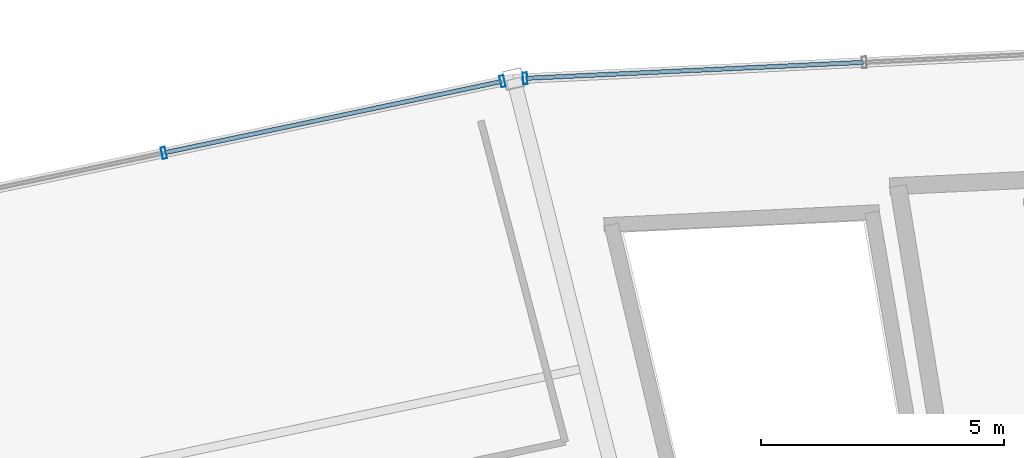
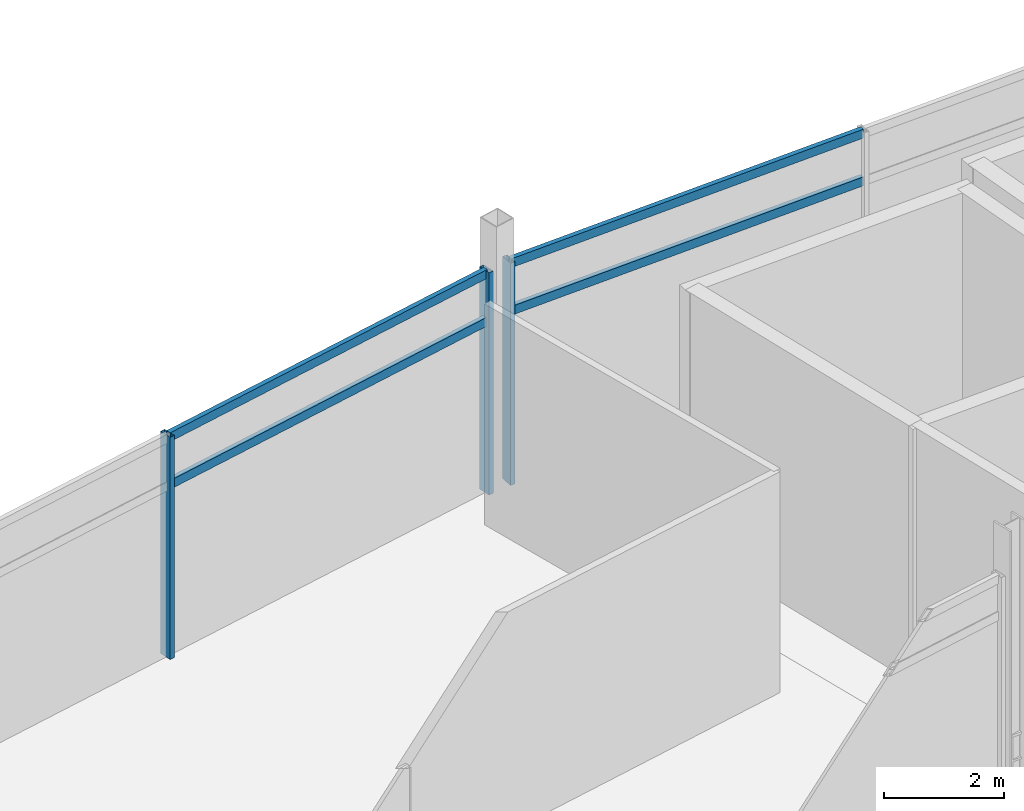
# One storey, part 59 of 86: 7 members, 2 elements without a shape of their own.
"""IFC4 building model written with IfcOpenShell, lengths in metres."""

from ifc_helpers import new_model, si_unit, direction, frame, origin, origin_2d, place, context, subcontext, project, spatial, hollow_rectangle, extrude, material, layer, layer_set, material_profile, profile_set, type_object, element, aggregate, save


model = new_model("IFC4")

# Units and contexts
model_context = context("Model", 3, precision=1e-05, world=origin(), true_north=direction((0.0, 1.0)))
body_context = subcontext(model_context, "Body", "Model", "MODEL_VIEW")
ifc_project = project(units=[si_unit("LENGTHUNIT", "METRE"), si_unit("AREAUNIT", "SQUARE_METRE"), si_unit("VOLUMEUNIT", "CUBIC_METRE"), si_unit("PLANEANGLEUNIT", "RADIAN"), si_unit("MASSUNIT", "GRAM", prefix="KILO")], contexts=[model_context])

# Site, building, storey
site_placement = place(None, origin())
site = spatial("IfcSite", under=ifc_project, at=site_placement, CompositionType="ELEMENT")
building_placement = place(site_placement, origin())
building = spatial("IfcBuilding", under=site, at=building_placement, Name="Kazemori Nagisa Stadium", CompositionType="ELEMENT")
storey_placement = place(building_placement, frame((0.0, 0.0, 31.280029296875)))
storey = spatial("IfcBuildingStorey", under=building, at=storey_placement, Name="L06", CompositionType="ELEMENT", Elevation=31.280029296875)

# Curtain wall, member
ifc_material_1 = material(Name="Anodised aluminium 6063-T5", Category="aluminium")
ifc_layer_1 = layer(ifc_material_1, 0.239990234375, Name="Anodised aluminium 6063-T5", Category="aluminium")
ifc_layer_set_1 = layer_set([ifc_layer_1], Name="Anodised aluminium 6063-T5")
curtain_wall_type_1 = type_object("IfcCurtainWallType", Name="CW_L06R3_105", PredefinedType="USERDEFINED", material=ifc_layer_set_1)
curtain_wall_1_placement = place(storey_placement, origin())
curtain_wall_1 = element("IfcCurtainWall", 1, at=curtain_wall_1_placement, inside=storey, type_object=curtain_wall_type_1, Name="Unitised curtain wall CW-L06R3-105 L06", ObjectType="UNITISED CURTAIN WALL", PredefinedType="USERDEFINED")
ifc_material_2 = material(Name="Aluminium 6063-T5 anodised", Category="aluminium")
ifc_material_profile_1 = material_profile(ifc_material_2, hollow_rectangle(XDim=0.090087890625, YDim=0.239990234375, WallThickness=0.0048828125, at=origin_2d()), Name="ALU-MULL-90x240x5")
ifc_profile_set_1 = profile_set([ifc_material_profile_1], Name="Aluminium 6063-T5 anodised")
member_type_1 = type_object("IfcMemberType", Name="Mullion_M03", PredefinedType="MULLION", material=ifc_profile_set_1)
member_1_placement = place(storey_placement, frame((101.80712890625, 186.998046875, 0.0), z_axis=(0.0, 0.0, 1.0), x_axis=(-0.998884022476, -0.047230388971, 0.0)))
member_1 = element("IfcMember", 2, at=member_1_placement, type_object=member_type_1, Name="Curtain wall mullion CW-L06R3-105-M4", PredefinedType="MULLION", context=body_context, shape_type="SweptSolid", body=[
    extrude(hollow_rectangle(XDim=0.090087890625, YDim=0.239990234375, WallThickness=0.0048828125, at=origin_2d()), origin(), (0.0, 0.0, 1.0), 4.510009765625),
])

# Curtain wall, members
ifc_layer_2 = layer(ifc_material_1, 0.239990234375, Name="Anodised aluminium 6063-T5", Category="aluminium")
ifc_layer_set_2 = layer_set([ifc_layer_2], Name="Anodised aluminium 6063-T5")
curtain_wall_type_2 = type_object("IfcCurtainWallType", Name="CW_L06R3_107", PredefinedType="USERDEFINED", material=ifc_layer_set_2)
curtain_wall_2_placement = place(storey_placement, origin())
curtain_wall_2 = element("IfcCurtainWall", 3, at=curtain_wall_2_placement, inside=storey, type_object=curtain_wall_type_2, Name="Unitised curtain wall CW-L06R3-107 L06", ObjectType="UNITISED CURTAIN WALL", PredefinedType="USERDEFINED")
member_2_placement = place(storey_placement, frame((101.342529296875, 186.938232421875, 0.0), z_axis=(0.0, 0.0, 1.0), x_axis=(-0.978344955407, -0.206981033502, 0.0)))
member_2 = element("IfcMember", 4, at=member_2_placement, type_object=member_type_1, Name="Curtain wall mullion CW-L06R3-107-M1", PredefinedType="MULLION", context=body_context, shape_type="SweptSolid", body=[
    extrude(hollow_rectangle(XDim=0.090087890625, YDim=0.239990234375, WallThickness=0.0048828125, at=origin_2d()), origin(), (0.0, 0.0, 1.0), 4.510009765625),
])
member_3_placement = place(storey_placement, frame((94.3701171875, 185.463134765625, 0.0), z_axis=(0.0, 0.0, 1.0), x_axis=(-0.978344955407, -0.206981033502, 0.0)))
member_3 = element("IfcMember", 5, at=member_3_placement, type_object=member_type_1, Name="Curtain wall mullion CW-L06R3-107-M2", PredefinedType="MULLION", context=body_context, shape_type="SweptSolid", body=[
    extrude(hollow_rectangle(XDim=0.090087890625, YDim=0.239990234375, WallThickness=0.0048828125, at=origin_2d()), origin(), (0.0, 0.0, 1.0), 4.510009765625),
])

# Member
ifc_material_profile_2 = material_profile(ifc_material_2, hollow_rectangle(XDim=0.090087890625, YDim=0.179931640625, WallThickness=0.0048828125, at=origin_2d()), Name="ALU-TRAN-90x180x5")
ifc_profile_set_2 = profile_set([ifc_material_profile_2], Name="Aluminium 6063-T5 anodised")
member_type_2 = type_object("IfcMemberType", Name="Transom_T03", PredefinedType="USERDEFINED", material=ifc_profile_set_2)
member_4_placement = place(storey_placement, frame((108.773193359375, 187.327392578125, 3.47265625), z_axis=(-0.99888278495, -0.047256554376, 0.0), x_axis=(0.047256554376, -0.99888278495, 0.0)))
member_4 = element("IfcMember", 6, at=member_4_placement, type_object=member_type_2, Name="Curtain wall transom CW-L06R3-105-T3-mid", ObjectType="TRANSOM", PredefinedType="USERDEFINED", context=body_context, shape_type="SweptSolid", body=[
    extrude(hollow_rectangle(XDim=0.090087890625, YDim=0.179931640625, WallThickness=0.0048828125, at=origin_2d()), origin(), (0.0, 0.0, 1.0), 6.953857421875),
])

member_5_placement = place(storey_placement, frame((108.773193359375, 187.327392578125, 4.43994140625), z_axis=(-0.99888278495, -0.047256554376, 0.0), x_axis=(0.047256554376, -0.99888278495, 0.0)))
member_5 = element("IfcMember", 7, at=member_5_placement, type_object=member_type_2, Name="Curtain wall transom CW-L06R3-105-T3-head", ObjectType="TRANSOM", PredefinedType="USERDEFINED", context=body_context, shape_type="SweptSolid", body=[
    extrude(hollow_rectangle(XDim=0.090087890625, YDim=0.179931640625, WallThickness=0.0048828125, at=origin_2d()), origin(), (0.0, 0.0, 1.0), 6.953857421875),
])

aggregate(curtain_wall_1, [member_1, member_4, member_5])

member_6_placement = place(storey_placement, frame((101.32275390625, 186.93408203125, 3.47265625), z_axis=(-0.978344605267, -0.206982688515, 0.0), x_axis=(0.206982688515, -0.978344605267, 0.0)))
member_6 = element("IfcMember", 8, at=member_6_placement, type_object=member_type_2, Name="Curtain wall transom CW-L06R3-107-T1-mid", ObjectType="TRANSOM", PredefinedType="USERDEFINED", context=body_context, shape_type="SweptSolid", body=[
    extrude(hollow_rectangle(XDim=0.090087890625, YDim=0.179931640625, WallThickness=0.0048828125, at=origin_2d()), origin(), (0.0, 0.0, 1.0), 7.086669921875),
])

member_7_placement = place(storey_placement, frame((101.32275390625, 186.93408203125, 4.43994140625), z_axis=(-0.978344605267, -0.206982688515, 0.0), x_axis=(0.206982688515, -0.978344605267, 0.0)))
member_7 = element("IfcMember", 9, at=member_7_placement, type_object=member_type_2, Name="Curtain wall transom CW-L06R3-107-T1-head", ObjectType="TRANSOM", PredefinedType="USERDEFINED", context=body_context, shape_type="SweptSolid", body=[
    extrude(hollow_rectangle(XDim=0.090087890625, YDim=0.179931640625, WallThickness=0.0048828125, at=origin_2d()), origin(), (0.0, 0.0, 1.0), 7.086669921875),
])

aggregate(curtain_wall_2, [member_2, member_3, member_6, member_7])

save(model, "model.ifc")
